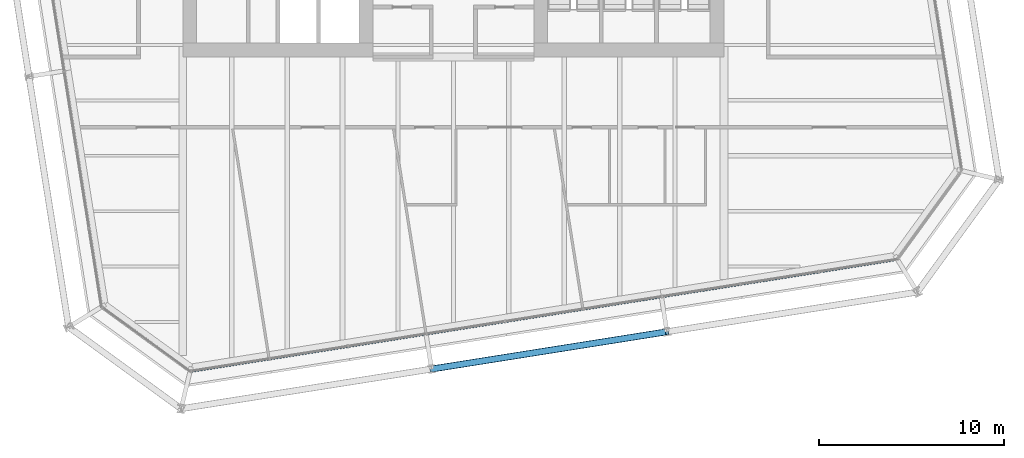
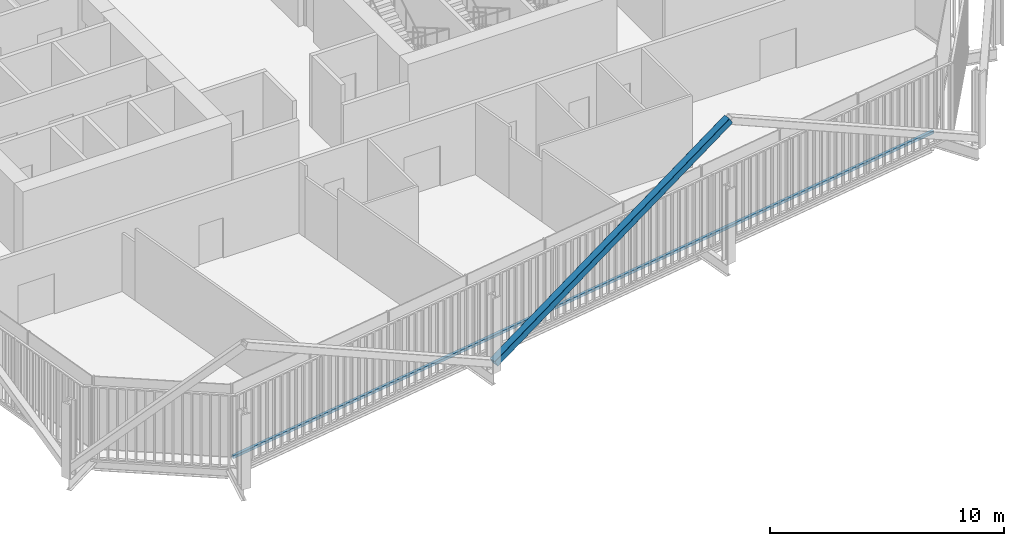
# One storey, part 7 of 22: 2 members, 1 element without a shape of its own.
"""IFC4 building model written with IfcOpenShell, lengths in metres."""

from ifc_helpers import new_model, si_unit, direction, frame, origin, origin_2d, place, context, subcontext, project, spatial, rectangle, hollow_rectangle, extrude, material, layer, layer_set, material_profile, profile_set, type_object, element, aggregate, save


model = new_model("IFC4")

# Units and contexts
model_context = context("Model", 3, precision=1e-05, world=origin(), true_north=direction((0.0, 1.0)))
body_context = subcontext(model_context, "Body", "Model", "MODEL_VIEW")
ifc_project = project(units=[si_unit("LENGTHUNIT", "METRE"), si_unit("AREAUNIT", "SQUARE_METRE"), si_unit("VOLUMEUNIT", "CUBIC_METRE"), si_unit("PLANEANGLEUNIT", "RADIAN"), si_unit("MASSUNIT", "GRAM", prefix="KILO")], contexts=[model_context])

# Site, building, storey
site_placement = place(None, origin())
site = spatial("IfcSite", under=ifc_project, at=site_placement, CompositionType="ELEMENT")
building_placement = place(site_placement, origin())
building = spatial("IfcBuilding", under=site, at=building_placement, Name="Millrace Tower", CompositionType="ELEMENT")
storey_placement = place(building_placement, frame((0.0, 0.0, 145.10009765625)))
storey = spatial("IfcBuildingStorey", under=building, at=storey_placement, Name="L32", CompositionType="ELEMENT", Elevation=145.10009765625)

# Curtain wall, member
ifc_material_1 = material(Name="Aluminium and glass", Category="aluminium")
ifc_layer = layer(ifc_material_1, 0.14990234375)
ifc_layer_set = layer_set([ifc_layer], Name="Aluminium and glass")
curtain_wall_type = type_object("IfcCurtainWallType", Name="CW-1 office vision curtain wall", PredefinedType="NOTDEFINED", material=ifc_layer_set)
curtain_wall_placement = place(storey_placement, origin())
curtain_wall = element("IfcCurtainWall", 1, at=curtain_wall_placement, inside=storey, type_object=curtain_wall_type, Name="Curtain wall C-F02 L32", PredefinedType="NOTDEFINED")
ifc_material_2 = material(Name="Aluminium", Category="aluminium")
ifc_material_profile_1 = material_profile(ifc_material_2, rectangle(XDim=0.14990234375, YDim=0.139892578125, at=origin_2d()))
ifc_profile_set_1 = profile_set([ifc_material_profile_1], Name="Aluminium")
member_type_1 = type_object("IfcMemberType", Name="CW-1 office vision curtain wall transom", PredefinedType="USERDEFINED", material=ifc_profile_set_1)
member_1_placement = place(storey_placement, frame((-14.125, -26.64599609375, 0.06982421875), z_axis=(0.987688350509, 0.156434402447, 0.0), x_axis=(-0.156434402447, 0.987688350509, 0.0)))
member_1 = element("IfcMember", 2, at=member_1_placement, type_object=member_type_1, Name="CW1 transom C-F02.1", ObjectType="TRANSOM", PredefinedType="USERDEFINED", context=body_context, shape_type="SweptSolid", body=[
    extrude(rectangle(XDim=0.14990234375, YDim=0.139892578125, at=origin_2d()), origin(), (0.0, 0.0, 1.0), 38.499755859375),
])
aggregate(curtain_wall, [member_1])

# Member
ifc_material_3 = material(Name="Steel ASTM A500 Grade C", Category="steel")
ifc_material_profile_2 = material_profile(ifc_material_3, hollow_rectangle(XDim=0.355712890625, YDim=0.355712890625, WallThickness=0.015869140625, InnerFilletRadius=0.008056640625, OuterFilletRadius=0.02392578125, at=origin_2d()))
ifc_profile_set_2 = profile_set([ifc_material_profile_2], Name="Steel ASTM A500 Grade C")
member_type_2 = type_object("IfcMemberType", Name="Exoskeleton brace HSS14x14x5/8", PredefinedType="BRACE", material=ifc_profile_set_2)
member_2_placement = place(storey_placement, frame((-1.181396484375, -26.545166015625, 0.39990234375), z_axis=(0.868109818913, 0.137501595477, 0.476947223022), x_axis=(-0.156441687909, 0.987687196578, 0.0)))
element("IfcMember", 3, at=member_2_placement, inside=storey, type_object=member_type_2, Name="BRC-C-L32-03", PredefinedType="BRACE", context=body_context, shape_type="SweptSolid", body=[
    extrude(hollow_rectangle(XDim=0.355712890625, YDim=0.355712890625, WallThickness=0.015869140625, InnerFilletRadius=0.008056640625, OuterFilletRadius=0.02392578125, at=origin_2d()), origin(), (0.0, 0.0, 1.0), 14.6767578125),
])

save(model, "model.ifc")
